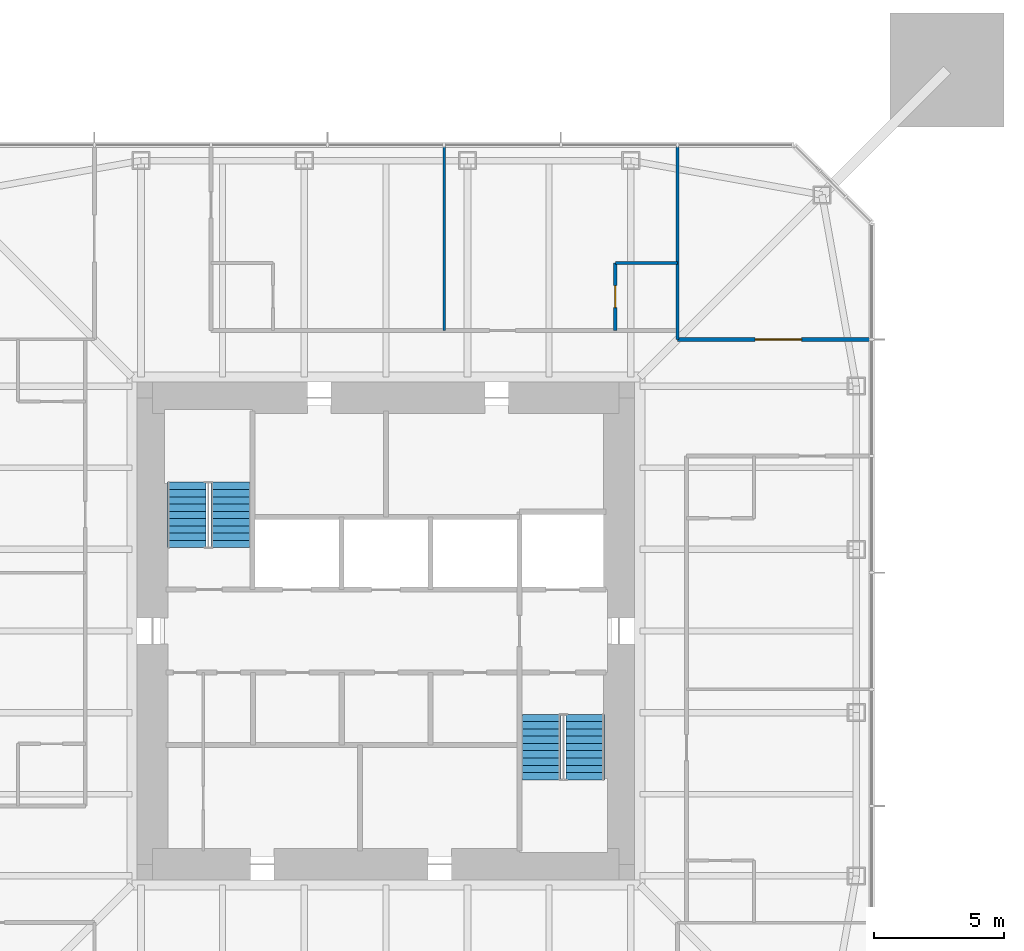
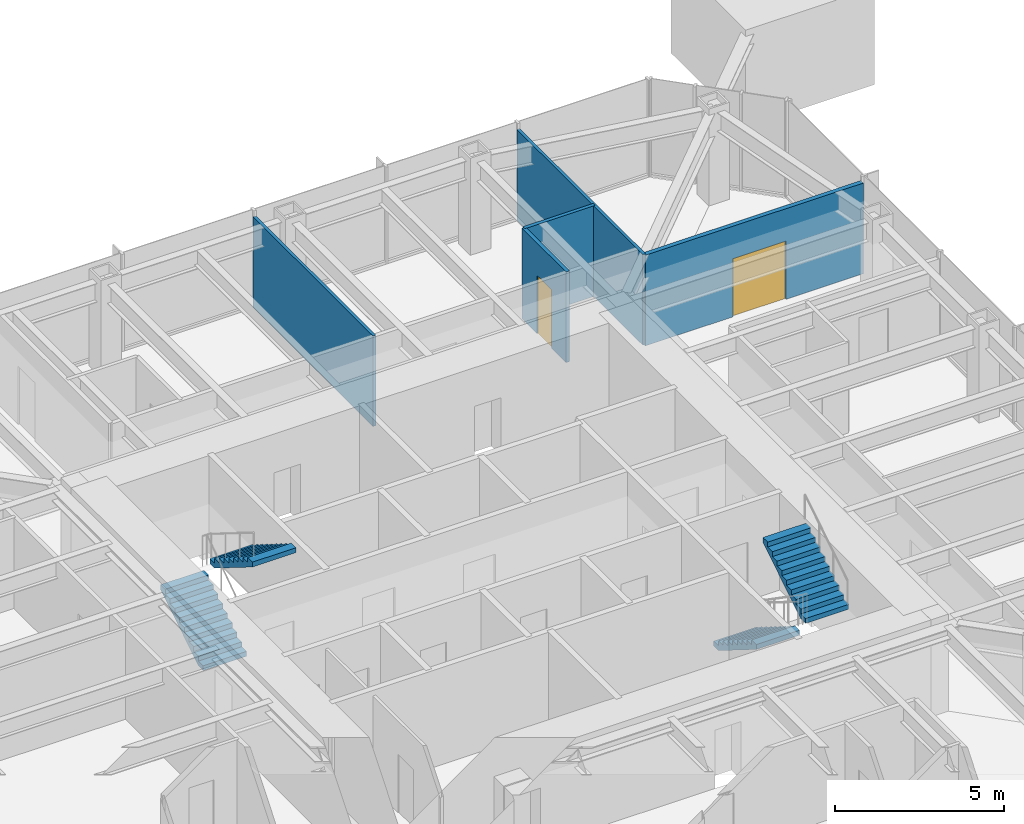
# One storey, part 8 of 11: 5 walls, 4 stair flights, 2 doors, 2 openings, 2 elements without a shape of their own.
"""IFC4 building model written with IfcOpenShell, lengths in metres."""

from ifc_helpers import new_model, si_unit, direction, frame, frame_2d, origin, place, context, subcontext, project, spatial, polyline, rectangle, outline, extrude, material, layer, layer_set, constituent, constituent_set, type_object, element, fill, aggregate, save


model = new_model("IFC4")

# Units and contexts
model_context = context("Model", 3, precision=1e-05, world=origin(), true_north=direction((0.0, 1.0)))
body_context = subcontext(model_context, "Body", "Model", "MODEL_VIEW")
ifc_project = project(units=[si_unit("LENGTHUNIT", "METRE"), si_unit("AREAUNIT", "SQUARE_METRE"), si_unit("VOLUMEUNIT", "CUBIC_METRE"), si_unit("PLANEANGLEUNIT", "RADIAN"), si_unit("MASSUNIT", "GRAM", prefix="KILO")], contexts=[model_context])

# Site, building, storey
site_placement = place(None, origin())
site = spatial("IfcSite", under=ifc_project, at=site_placement, CompositionType="ELEMENT")
building_placement = place(site_placement, origin())
building = spatial("IfcBuilding", under=site, at=building_placement, Name="Iwan Alto Co-Living Towers", CompositionType="ELEMENT")
storey_placement = place(building_placement, frame((0.0, 0.0, 195.0)))
storey = spatial("IfcBuildingStorey", under=building, at=storey_placement, Name="L53", CompositionType="ELEMENT", Elevation=195.0)

# Wall, opening, door
ifc_material_1 = material(Name="Gypsum board")
ifc_layer_1 = layer(ifc_material_1, 0.02490234375, Name="Board", Category="Finish")
ifc_material_2 = material(Name="Steel ASTM A1003 ST33H cold-formed studs", Category="steel")
ifc_layer_2 = layer(ifc_material_2, 0.10009765625, Name="Studs", Category="Framing")
ifc_layer_3 = layer(ifc_material_1, 0.02490234375, Name="Board", Category="Finish")
ifc_layer_set_1 = layer_set([ifc_layer_1, ifc_layer_2, ifc_layer_3], Name="CORRIDOR WALL 150")
wall_type_1 = type_object("IfcWallType", Name="CORRIDOR WALL 150", PredefinedType="PARTITIONING", material=ifc_layer_set_1)
wall_1_placement = place(storey_placement, frame((11.25, 11.25, 0.0), z_axis=(0.0, 0.0, 1.0), x_axis=(1.0, 0.0, 0.0)))
wall_1 = element("IfcWall", 1, at=wall_1_placement, inside=storey, type_object=wall_type_1, Name="Partition L53", PredefinedType="PARTITIONING", context=body_context, shape_type="SweptSolid", body=[
    extrude(rectangle(XDim=7.43994140625, YDim=0.14990234375, at=frame_2d((3.719970703125, 0.0))), origin(), (0.0, 0.0, 1.0), 3.27001953125),
])
opening_1_placement = place(wall_1_placement, frame((2.9951171875, 0.0, 0.0)))
opening_1 = element("IfcOpeningElement", 2, at=opening_1_placement, cuts=wall_1, Name="Opening D9", PredefinedType="OPENING", context=body_context, shape_type="SweptSolid", body=[
    extrude(rectangle(XDim=1.800048828125, YDim=2.10009765625, at=frame_2d((0.89990234375, 1.050048828125))), frame((0.0, 0.0849609375, 0.0), z_axis=(0.0, -1.0, 0.0), x_axis=(1.0, 0.0, 0.0)), (0.0, 0.0, 1.0), 0.169921875),
])
ifc_material_3 = material(Name="Steel frame with timber leaf", Category="steel")
door_type_1 = type_object("IfcDoorType", Name="LOUNGE DOOR FD30S 1800X2100", OperationType="DOUBLE_DOOR_SINGLE_SWING", PredefinedType="DOOR", material=ifc_material_3)
door_1_placement = place(opening_1_placement, origin())
door_1 = element("IfcDoor", 3, at=door_1_placement, inside=storey, type_object=door_type_1, Name="Study lounge door L53", OperationType="DOUBLE_DOOR_SINGLE_SWING", OverallHeight=2.10009765625, OverallWidth=1.800048828125, PredefinedType="DOOR", context=body_context, shape_type="SweptSolid", body=[
    extrude(rectangle(XDim=1.800048828125, YDim=2.10009765625, at=frame_2d((0.89990234375, 1.050048828125))), frame((0.0, 0.02490234375, 0.0), z_axis=(0.0, -1.0, 0.0), x_axis=(1.0, 0.0, 0.0)), (0.0, 0.0, 1.0), 0.050048828125),
])
fill(opening_1, door_1)

# Walls
ifc_layer_4 = layer(ifc_material_1, 0.012451171875, Name="Board", Category="Finish")
ifc_layer_5 = layer(ifc_material_2, 0.074951171875, Name="Studs", Category="Framing")
ifc_layer_6 = layer(ifc_material_1, 0.012451171875, Name="Board", Category="Finish")
ifc_layer_set_2 = layer_set([ifc_layer_4, ifc_layer_5, ifc_layer_6], Name="PARTITION 100")
wall_type_2 = type_object("IfcWallType", Name="PARTITION 100", PredefinedType="PARTITIONING", material=ifc_layer_set_2)
wall_2_placement = place(storey_placement, frame((11.25, 11.25, 0.0), z_axis=(0.0, 0.0, 1.0), x_axis=(0.0, 1.0, 0.0)))
element("IfcWall", 4, at=wall_2_placement, inside=storey, type_object=wall_type_2, Name="Partition L53", PredefinedType="PARTITIONING", context=body_context, shape_type="SweptSolid", body=[
    extrude(rectangle(XDim=7.43994140625, YDim=0.10009765625, at=frame_2d((3.719970703125, 0.0))), origin(), (0.0, 0.0, 1.0), 3.27001953125),
])
wall_3_placement = place(storey_placement, frame((2.25, 11.60009765625, 0.0), z_axis=(0.0, 0.0, 1.0), x_axis=(0.0, 1.0, 0.0)))
element("IfcWall", 5, at=wall_3_placement, inside=storey, type_object=wall_type_2, Name="Partition L53", PredefinedType="PARTITIONING", context=body_context, shape_type="SweptSolid", body=[
    extrude(rectangle(XDim=7.08984375, YDim=0.10009765625, at=frame_2d((3.544921875, 0.0))), origin(), (0.0, 0.0, 1.0), 3.27001953125),
])
ifc_material_4 = material(Name="Cement board")
ifc_layer_7 = layer(ifc_material_4, 0.012451171875, Name="Board", Category="Finish")
ifc_layer_8 = layer(ifc_material_2, 0.094970703125, Name="Studs", Category="Framing")
ifc_layer_9 = layer(ifc_material_4, 0.012451171875, Name="Board", Category="Finish")
ifc_layer_set_3 = layer_set([ifc_layer_7, ifc_layer_8, ifc_layer_9], Name="WET AREA PARTITION 120")
wall_type_3 = type_object("IfcWallType", Name="WET AREA PARTITION 120", PredefinedType="PARTITIONING", material=ifc_layer_set_3)
wall_4_placement = place(storey_placement, frame((8.85009765625, 14.199951171875, 0.0), z_axis=(0.0, 0.0, 1.0), x_axis=(1.0, 0.0, 0.0)))
element("IfcWall", 6, at=wall_4_placement, inside=storey, type_object=wall_type_3, Name="Partition L53", PredefinedType="PARTITIONING", context=body_context, shape_type="SweptSolid", body=[
    extrude(rectangle(XDim=2.39990234375, YDim=0.1201171875, at=frame_2d((1.199951171875, 0.0))), origin(), (0.0, 0.0, 1.0), 3.27001953125),
])

# Wall, opening, door
wall_5_placement = place(storey_placement, frame((8.85009765625, 11.60009765625, 0.0), z_axis=(0.0, 0.0, 1.0), x_axis=(0.0, 1.0, 0.0)))
wall_5 = element("IfcWall", 7, at=wall_5_placement, inside=storey, type_object=wall_type_3, Name="Partition L53", PredefinedType="PARTITIONING", context=body_context, shape_type="SweptSolid", body=[
    extrude(rectangle(XDim=2.599853515625, YDim=0.1201171875, at=frame_2d((1.2998046875, 0.0))), origin(), (0.0, 0.0, 1.0), 3.27001953125),
])
opening_2_placement = place(wall_5_placement, frame((0.875, 0.0, 0.0)))
opening_2 = element("IfcOpeningElement", 8, at=opening_2_placement, cuts=wall_5, Name="Opening D2", PredefinedType="OPENING", context=body_context, shape_type="SweptSolid", body=[
    extrude(rectangle(XDim=0.85009765625, YDim=2.10009765625, at=frame_2d((0.425048828125, 1.050048828125))), frame((0.0, 0.070068359375, 0.0), z_axis=(0.0, -1.0, 0.0), x_axis=(1.0, 0.0, 0.0)), (0.0, 0.0, 1.0), 0.14013671875),
])
ifc_material_5 = material(Name="Timber leaf in steel frame", Category="steel")
door_type_2 = type_object("IfcDoorType", Name="ROOM DOOR 850X2100", OperationType="SINGLE_SWING_LEFT", PredefinedType="DOOR", material=ifc_material_5)
door_2_placement = place(opening_2_placement, origin())
door_2 = element("IfcDoor", 9, at=door_2_placement, inside=storey, type_object=door_type_2, Name="En-suite shower room door L53", OperationType="SINGLE_SWING_LEFT", OverallHeight=2.10009765625, OverallWidth=0.85009765625, PredefinedType="DOOR", context=body_context, shape_type="SweptSolid", body=[
    extrude(rectangle(XDim=0.85009765625, YDim=2.10009765625, at=frame_2d((0.425048828125, 1.050048828125))), frame((0.0, 0.02490234375, 0.0), z_axis=(0.0, -1.0, 0.0), x_axis=(1.0, 0.0, 0.0)), (0.0, 0.0, 1.0), 0.050048828125),
])
fill(opening_2, door_2)

# Stair, stair flights
ifc_material_6 = material(Name="Steel ASTM A36", Category="steel")
ifc_constituent_1 = constituent(ifc_material_6, Name="Stringers", Category="LoadBearing")
ifc_material_7 = material(Name="Concrete f'c 30 MPa", Category="concrete")
ifc_constituent_2 = constituent(ifc_material_7, Name="Tread fill", Category="Finish")
ifc_constituent_set_1 = constituent_set(constituents=[ifc_constituent_1, ifc_constituent_2], Name="STAIR 3500 TWO-FLIGHT T1 CORE")
stair_type = type_object("IfcStairType", Name="STAIR 3500 TWO-FLIGHT T1 CORE", PredefinedType="HALF_TURN_STAIR", material=ifc_constituent_set_1)
stair_1_placement = place(storey_placement, origin())
stair_1 = element("IfcStair", 10, at=stair_1_placement, inside=storey, type_object=stair_type, Name="Stair T1-S1 L53 to L54", PredefinedType="HALF_TURN_STAIR")
ifc_constituent_3 = constituent(ifc_material_6, Name="Stringers", Category="LoadBearing")
ifc_constituent_4 = constituent(ifc_material_7, Name="Tread fill", Category="Finish")
ifc_constituent_set_2 = constituent_set(constituents=[ifc_constituent_3, ifc_constituent_4], Name="STAIR FLIGHT 10 RISERS 280 GOING")
stair_flight_type = type_object("IfcStairFlightType", Name="STAIR FLIGHT 10 RISERS 280 GOING", PredefinedType="STRAIGHT", material=ifc_constituent_set_2)
stair_flight_1_placement = place(storey_placement, frame((-7.68994140625, 3.219970703125, 0.0), z_axis=(0.0, 0.0, 1.0), x_axis=(0.0, 1.0, 0.0)))
stair_flight_1 = element("IfcStairFlight", 11, at=stair_flight_1_placement, type_object=stair_flight_type, Name="T1-S1 flight 1", NumberOfRisers=10, NumberOfTreads=9, PredefinedType="STRAIGHT", RiserHeight=0.175, TreadLength=0.28, context=body_context, shape_type="SweptSolid", body=[
    extrude(outline(polyline([(0.0, 0.0), (0.0, 0.175048828125), (0.280029296875, 0.175048828125), (0.280029296875, 0.35009765625), (0.56005859375, 0.35009765625), (0.56005859375, 0.52490234375), (0.840087890625, 0.52490234375), (0.840087890625, 0.699951171875), (1.1201171875, 0.699951171875), (1.1201171875, 0.875), (1.39990234375, 0.875), (1.39990234375, 1.050048828125), (1.679931640625, 1.050048828125), (1.679931640625, 1.22509765625), (1.9599609375, 1.22509765625), (1.9599609375, 1.39990234375), (2.239990234375, 1.39990234375), (2.239990234375, 1.574951171875), (2.52001953125, 1.574951171875), (2.52001953125, 1.75), (2.52001953125, 1.398193359375), (0.28271484375, 0.0), (0.0, 0.0)])), frame((0.0, 0.739990234375, 0.0), z_axis=(0.0, -1.0, 0.0), x_axis=(1.0, 0.0, 0.0)), (0.0, 0.0, 1.0), 1.47998046875),
])
stair_flight_2_placement = place(storey_placement, frame((-6.010009765625, 5.739990234375, 1.75), z_axis=(0.0, 0.0, 1.0), x_axis=(0.0, -1.0, 0.0)))
stair_flight_2 = element("IfcStairFlight", 12, at=stair_flight_2_placement, type_object=stair_flight_type, Name="T1-S1 flight 2", NumberOfRisers=10, NumberOfTreads=9, PredefinedType="STRAIGHT", RiserHeight=0.175, TreadLength=0.28, context=body_context, shape_type="SweptSolid", body=[
    extrude(outline(polyline([(0.0, 0.0), (0.0, 0.175048828125), (0.280029296875, 0.175048828125), (0.280029296875, 0.35009765625), (0.56005859375, 0.35009765625), (0.56005859375, 0.52490234375), (0.840087890625, 0.52490234375), (0.840087890625, 0.699951171875), (1.1201171875, 0.699951171875), (1.1201171875, 0.875), (1.39990234375, 0.875), (1.39990234375, 1.050048828125), (1.679931640625, 1.050048828125), (1.679931640625, 1.22509765625), (1.9599609375, 1.22509765625), (1.9599609375, 1.39990234375), (2.239990234375, 1.39990234375), (2.239990234375, 1.574951171875), (2.52001953125, 1.574951171875), (2.52001953125, 1.75), (2.52001953125, 1.398193359375), (0.28271484375, 0.0), (0.0, 0.0)])), frame((0.0, 0.739990234375, 0.0), z_axis=(0.0, -1.0, 0.0), x_axis=(1.0, 0.0, 0.0)), (0.0, 0.0, 1.0), 1.47998046875),
])
aggregate(stair_1, [stair_flight_1, stair_flight_2])

stair_2_placement = place(storey_placement, origin())
stair_2 = element("IfcStair", 13, at=stair_2_placement, inside=storey, type_object=stair_type, Name="Stair T1-S2 L53 to L54", PredefinedType="HALF_TURN_STAIR")
stair_flight_3_placement = place(storey_placement, frame((6.010009765625, -3.219970703125, 0.0), z_axis=(0.0, 0.0, 1.0), x_axis=(0.0, -1.0, 0.0)))
stair_flight_3 = element("IfcStairFlight", 14, at=stair_flight_3_placement, type_object=stair_flight_type, Name="T1-S2 flight 1", NumberOfRisers=10, NumberOfTreads=9, PredefinedType="STRAIGHT", RiserHeight=0.175, TreadLength=0.28, context=body_context, shape_type="SweptSolid", body=[
    extrude(outline(polyline([(0.0, 0.0), (0.0, 0.175048828125), (0.280029296875, 0.175048828125), (0.280029296875, 0.35009765625), (0.56005859375, 0.35009765625), (0.56005859375, 0.52490234375), (0.840087890625, 0.52490234375), (0.840087890625, 0.699951171875), (1.1201171875, 0.699951171875), (1.1201171875, 0.875), (1.39990234375, 0.875), (1.39990234375, 1.050048828125), (1.679931640625, 1.050048828125), (1.679931640625, 1.22509765625), (1.9599609375, 1.22509765625), (1.9599609375, 1.39990234375), (2.239990234375, 1.39990234375), (2.239990234375, 1.574951171875), (2.52001953125, 1.574951171875), (2.52001953125, 1.75), (2.52001953125, 1.398193359375), (0.28271484375, 0.0), (0.0, 0.0)])), frame((0.0, 0.739990234375, 0.0), z_axis=(0.0, -1.0, 0.0), x_axis=(1.0, 0.0, 0.0)), (0.0, 0.0, 1.0), 1.47998046875),
])
stair_flight_4_placement = place(storey_placement, frame((7.68994140625, -5.739990234375, 1.75), z_axis=(0.0, 0.0, 1.0), x_axis=(0.0, 1.0, 0.0)))
stair_flight_4 = element("IfcStairFlight", 15, at=stair_flight_4_placement, type_object=stair_flight_type, Name="T1-S2 flight 2", NumberOfRisers=10, NumberOfTreads=9, PredefinedType="STRAIGHT", RiserHeight=0.175, TreadLength=0.28, context=body_context, shape_type="SweptSolid", body=[
    extrude(outline(polyline([(0.0, 0.0), (0.0, 0.175048828125), (0.280029296875, 0.175048828125), (0.280029296875, 0.35009765625), (0.56005859375, 0.35009765625), (0.56005859375, 0.52490234375), (0.840087890625, 0.52490234375), (0.840087890625, 0.699951171875), (1.1201171875, 0.699951171875), (1.1201171875, 0.875), (1.39990234375, 0.875), (1.39990234375, 1.050048828125), (1.679931640625, 1.050048828125), (1.679931640625, 1.22509765625), (1.9599609375, 1.22509765625), (1.9599609375, 1.39990234375), (2.239990234375, 1.39990234375), (2.239990234375, 1.574951171875), (2.52001953125, 1.574951171875), (2.52001953125, 1.75), (2.52001953125, 1.398193359375), (0.28271484375, 0.0), (0.0, 0.0)])), frame((0.0, 0.739990234375, 0.0), z_axis=(0.0, -1.0, 0.0), x_axis=(1.0, 0.0, 0.0)), (0.0, 0.0, 1.0), 1.47998046875),
])
aggregate(stair_2, [stair_flight_3, stair_flight_4])

save(model, "model.ifc")
